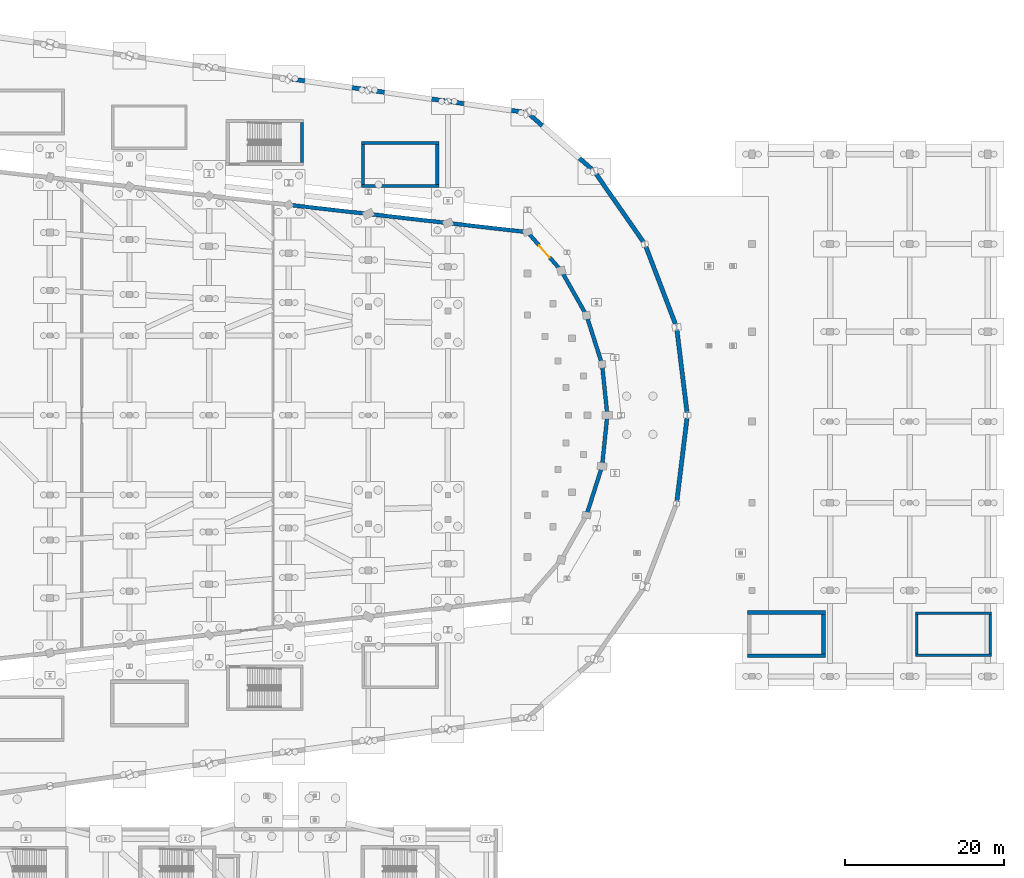
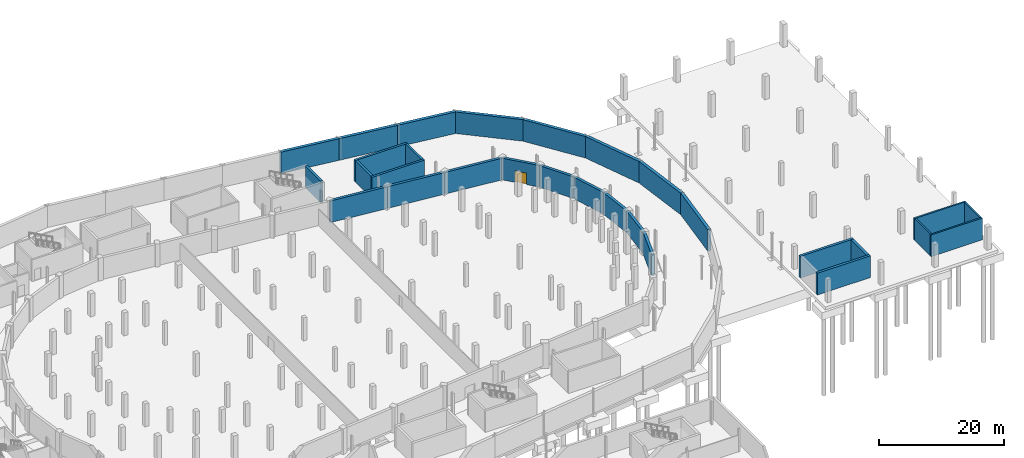
# One storey, part 50 of 55: 29 walls, 1 door, 1 opening.
"""IFC4 building model written with IfcOpenShell, lengths in metres."""

from ifc_helpers import new_model, si_unit, direction, frame, frame_2d, origin, place, context, subcontext, project, spatial, rectangle, extrude, material, layer, layer_set, type_object, element, fill, save


model = new_model("IFC4")

# Units and contexts
model_context = context("Model", 3, precision=1e-05, world=origin(), true_north=direction((0.0, 1.0)))
body_context = subcontext(model_context, "Body", "Model", "MODEL_VIEW")
ifc_project = project(units=[si_unit("LENGTHUNIT", "METRE"), si_unit("AREAUNIT", "SQUARE_METRE"), si_unit("VOLUMEUNIT", "CUBIC_METRE"), si_unit("PLANEANGLEUNIT", "RADIAN"), si_unit("MASSUNIT", "GRAM", prefix="KILO")], contexts=[model_context])

# Site, building, storey
site_placement = place(None, origin())
site = spatial("IfcSite", under=ifc_project, at=site_placement, CompositionType="ELEMENT")
building_placement = place(site_placement, origin())
building = spatial("IfcBuilding", under=site, at=building_placement, Name="Sohan Crest Arena", CompositionType="ELEMENT")
storey_placement = place(building_placement, frame((0.0, 0.0, -4.5)))
storey = spatial("IfcBuildingStorey", under=building, at=storey_placement, Name="B1", CompositionType="ELEMENT", Elevation=-4.5)

# Walls
ifc_material_1 = material(Name="Concrete C40/50", Category="concrete")
ifc_layer_1 = layer(ifc_material_1, 0.47998046875, Name="Concrete C40/50")
ifc_layer_set_1 = layer_set([ifc_layer_1], Name="Concrete C40/50")
wall_type_1 = type_object("IfcWallType", Name="WAL-RW02", PredefinedType="USERDEFINED", material=ifc_layer_set_1)
wall_1_placement = place(storey_placement, frame((175.408935546875, 65.455078125, 0.0), z_axis=(0.0, 0.0, 1.0), x_axis=(0.303361657972, 0.952875492639, 0.0)))
element("IfcWall", 1, at=wall_1_placement, inside=storey, type_object=wall_type_1, Name="External wall RW-022", ObjectType="RETAINING WALL", PredefinedType="USERDEFINED", context=body_context, shape_type="SweptSolid", body=[
    extrude(rectangle(XDim=6.44140625, YDim=0.47998046875, at=frame_2d((3.220703125, 0.0))), origin(), (0.0, 0.0, 1.0), 4.25),
])
for number, where, z_axis, x_axis, name in (
    (2, (177.363037109375, 71.593017578125, 0.0), (0.0, 0.0, 1.0), (0.102456857996, 0.994737448903, 0.0), "External wall RW-023"),
    (3, (178.02294921875, 78.0, 0.0), (0.0, 0.0, 1.0), (-0.102456857996, 0.994737448903, 0.0), "External wall RW-024"),
):
    element("IfcWall", number, at=place(storey_placement, frame(where, z_axis=z_axis, x_axis=x_axis)), inside=storey, type_object=wall_type_1, Name=name, ObjectType="RETAINING WALL", PredefinedType="USERDEFINED", context=body_context, shape_type="SweptSolid", body=[
        extrude(rectangle(XDim=6.44091796875, YDim=0.47998046875, at=frame_2d((3.220458984375, 0.0))), origin(), (0.0, 0.0, 1.0), 4.25),
    ])
wall_2_placement = place(storey_placement, frame((177.363037109375, 84.406982421875, 0.0), z_axis=(0.0, 0.0, 1.0), x_axis=(-0.303361657972, 0.952875492639, 0.0)))
element("IfcWall", 4, at=wall_2_placement, inside=storey, type_object=wall_type_1, Name="External wall RW-025", ObjectType="RETAINING WALL", PredefinedType="USERDEFINED", context=body_context, shape_type="SweptSolid", body=[
    extrude(rectangle(XDim=6.44140625, YDim=0.47998046875, at=frame_2d((3.220703125, 0.0))), origin(), (0.0, 0.0, 1.0), 4.25),
])
wall_3_placement = place(storey_placement, frame((175.408935546875, 90.544921875, 0.0), z_axis=(0.0, 0.0, 1.0), x_axis=(-0.491543833039, 0.870852834985, 0.0)))
element("IfcWall", 5, at=wall_3_placement, inside=storey, type_object=wall_type_1, Name="External wall RW-026", ObjectType="RETAINING WALL", PredefinedType="USERDEFINED", context=body_context, shape_type="SweptSolid", body=[
    extrude(rectangle(XDim=6.44091796875, YDim=0.47998046875, at=frame_2d((3.220458984375, 0.0))), origin(), (0.0, 0.0, 1.0), 4.25),
])

# Wall, opening, door
wall_4_placement = place(storey_placement, frame((172.242919921875, 96.154052734375, 0.0), z_axis=(0.0, 0.0, 1.0), x_axis=(-0.658743407002, 0.752367678553, 0.0)))
wall_4 = element("IfcWall", 6, at=wall_4_placement, inside=storey, type_object=wall_type_1, Name="External wall RW-027", ObjectType="RETAINING WALL", PredefinedType="USERDEFINED", context=body_context, shape_type="SweptSolid", body=[
    extrude(rectangle(XDim=6.44091796875, YDim=0.47998046875, at=frame_2d((3.220458984375, 0.0))), origin(), (0.0, 0.0, 1.0), 4.25),
])
opening_placement = place(wall_4_placement, frame((2.220947265625, 0.0, 0.0)))
opening = element("IfcOpeningElement", 7, at=opening_placement, cuts=wall_4, Name="Opening B1V-26", PredefinedType="OPENING", context=body_context, shape_type="SweptSolid", body=[
    extrude(rectangle(XDim=2.0, YDim=2.25, at=frame_2d((1.0, 1.125))), frame((0.0, 0.25, 0.0), z_axis=(0.0, -1.0, 0.0), x_axis=(1.0, 0.0, 0.0)), (0.0, 0.0, 1.0), 0.5),
])
ifc_material_2 = material(Name="Fire-rated steel concourse compartment door", Category="steel")
door_type = type_object("IfcDoorType", Name="DR-FD02", OperationType="DOUBLE_DOOR_SINGLE_SWING", PredefinedType="DOOR", material=ifc_material_2)
door_placement = place(opening_placement, origin())
door = element("IfcDoor", 8, at=door_placement, inside=storey, type_object=door_type, Name="Basement bowl egress door B1V-26", OperationType="DOUBLE_DOOR_SINGLE_SWING", OverallHeight=2.25, OverallWidth=2.0, PredefinedType="DOOR", context=body_context, shape_type="SweptSolid", body=[
    extrude(rectangle(XDim=2.0, YDim=2.25, at=frame_2d((1.0, 1.125))), frame((0.0, 0.02490234375, 0.0), z_axis=(0.0, -1.0, 0.0), x_axis=(1.0, 0.0, 0.0)), (0.0, 0.0, 1.0), 0.050048828125),
])
fill(opening, door)

# Walls
for number, where, z_axis, x_axis, name in (
    (9, (168.0, 101.0, 0.0), (0.0, 0.0, 1.0), (-0.99353032697, 0.113567114035, 0.0), "External wall RW-028"),
    (10, (158.0, 102.14306640625, 0.0), (0.0, 0.0, 1.0), (-0.993533063564, 0.113543170668, 0.0), "External wall RW-029"),
    (11, (148.0, 103.285888671875, 0.0), (0.0, 0.0, 1.0), (-0.99353032697, 0.113567114035, 0.0), "External wall RW-030"),
):
    element("IfcWall", number, at=place(storey_placement, frame(where, z_axis=z_axis, x_axis=x_axis)), inside=storey, type_object=wall_type_1, Name=name, ObjectType="RETAINING WALL", PredefinedType="USERDEFINED", context=body_context, shape_type="SweptSolid", body=[
        extrude(rectangle(XDim=10.065185546875, YDim=0.47998046875, at=frame_2d((5.03271484375, 0.0))), origin(), (0.0, 0.0, 1.0), 4.25),
    ])
ifc_layer_2 = layer(ifc_material_1, 0.5400390625, Name="Concrete C40/50")
ifc_layer_set_2 = layer_set([ifc_layer_2], Name="Concrete C40/50")
wall_type_2 = type_object("IfcWallType", Name="WAL-RW03", PredefinedType="USERDEFINED", material=ifc_layer_set_2)
for number, where, z_axis, x_axis, name in (
    (12, (186.72509765625, 66.929931640625, 0.0), (0.0, 0.0, 1.0), (0.121213260401, 0.992626488415, 0.0), "External wall RW-061"),
    (13, (188.076904296875, 78.0, 0.0), (0.0, 0.0, 1.0), (-0.121213260401, 0.992626488415, 0.0), "External wall RW-062"),
):
    element("IfcWall", number, at=place(storey_placement, frame(where, z_axis=z_axis, x_axis=x_axis)), inside=storey, type_object=wall_type_2, Name=name, ObjectType="RETAINING WALL", PredefinedType="USERDEFINED", context=body_context, shape_type="SweptSolid", body=[
        extrude(rectangle(XDim=11.15234375, YDim=0.5400390625, at=frame_2d((5.576171875, 0.0))), origin(), (0.0, 0.0, 1.0), 4.22509765625),
    ])
wall_5_placement = place(storey_placement, frame((186.72509765625, 89.070068359375, 0.0), z_axis=(0.0, 0.0, 1.0), x_axis=(-0.356539672716, 0.934280183767, 0.0)))
element("IfcWall", 14, at=wall_5_placement, inside=storey, type_object=wall_type_2, Name="External wall RW-063", ObjectType="RETAINING WALL", PredefinedType="USERDEFINED", context=body_context, shape_type="SweptSolid", body=[
    extrude(rectangle(XDim=11.15185546875, YDim=0.5400390625, at=frame_2d((5.575927734375, 0.0))), origin(), (0.0, 0.0, 1.0), 4.22509765625),
])
wall_6_placement = place(storey_placement, frame((182.7490234375, 99.489013671875, 0.0), z_axis=(0.0, 0.0, 1.0), x_axis=(-0.570857282329, 0.8210493062, 0.0)))
element("IfcWall", 15, at=wall_6_placement, inside=storey, type_object=wall_type_2, Name="External wall RW-064", ObjectType="RETAINING WALL", PredefinedType="USERDEFINED", context=body_context, shape_type="SweptSolid", body=[
    extrude(rectangle(XDim=11.151611328125, YDim=0.5400390625, at=frame_2d((5.57568359375, 0.0))), origin(), (0.0, 0.0, 1.0), 4.22509765625),
])
wall_7_placement = place(storey_placement, frame((176.383056640625, 108.64501953125, 0.0), z_axis=(0.0, 0.0, 1.0), x_axis=(-0.751695897988, 0.659509876308, 0.0)))
element("IfcWall", 16, at=wall_7_placement, inside=storey, type_object=wall_type_2, Name="External wall RW-065", ObjectType="RETAINING WALL", PredefinedType="USERDEFINED", context=body_context, shape_type="SweptSolid", body=[
    extrude(rectangle(XDim=11.152099609375, YDim=0.5400390625, at=frame_2d((5.576171875, 0.0))), origin(), (0.0, 0.0, 1.0), 4.22509765625),
])
for number, where, z_axis, x_axis, name in (
    (17, (168.0, 116.0, 0.0), (0.0, 0.0, 1.0), (-0.989944175879, 0.141458575718, 0.0), "External wall RW-066"),
    (18, (158.0, 117.428955078125, 0.0), (0.0, 0.0, 1.0), (-0.989957709412, 0.141363834042, 0.0), "External wall RW-067"),
    (19, (148.0, 118.85693359375, 0.0), (0.0, 0.0, 1.0), (-0.989944175879, 0.141458575718, 0.0), "External wall RW-068"),
):
    element("IfcWall", number, at=place(storey_placement, frame(where, z_axis=z_axis, x_axis=x_axis)), inside=storey, type_object=wall_type_2, Name=name, ObjectType="RETAINING WALL", PredefinedType="USERDEFINED", context=body_context, shape_type="SweptSolid", body=[
        extrude(rectangle(XDim=10.1015625, YDim=0.5400390625, at=frame_2d((5.05078125, 0.0))), origin(), (0.0, 0.0, 1.0), 4.22509765625),
    ])
ifc_layer_3 = layer(ifc_material_1, 0.300048828125, Name="Concrete C40/50")
ifc_layer_set_3 = layer_set([ifc_layer_3], Name="Concrete C40/50")
wall_type_3 = type_object("IfcWallType", Name="WAL-SW01", PredefinedType="SHEAR", material=ifc_layer_set_3)
for number, where, z_axis, x_axis, name in (
    (20, (216.75, 47.85009765625, 0.0), (0.0, 0.0, 1.0), (1.0, 0.0, 0.0), "Core shear wall SW-0617"),
    (21, (216.75, 53.14990234375, 0.0), (0.0, 0.0, 1.0), (1.0, 0.0, 0.0), "Core shear wall SW-0618"),
):
    element("IfcWall", number, at=place(storey_placement, frame(where, z_axis=z_axis, x_axis=x_axis)), inside=storey, type_object=wall_type_3, Name=name, PredefinedType="SHEAR", context=body_context, shape_type="SweptSolid", body=[
        extrude(rectangle(XDim=9.5, YDim=0.300048828125, at=frame_2d((4.75, 0.0))), origin(), (0.0, 0.0, 1.0), 4.27001953125),
    ])
for number, where, z_axis, x_axis, name in (
    (22, (216.89990234375, 48.0, 0.0), (0.0, 0.0, 1.0), (0.0, 1.0, 0.0), "Core shear wall SW-0619"),
    (23, (226.10009765625, 48.0, 0.0), (0.0, 0.0, 1.0), (0.0, 1.0, 0.0), "Core shear wall SW-0620"),
):
    element("IfcWall", number, at=place(storey_placement, frame(where, z_axis=z_axis, x_axis=x_axis)), inside=storey, type_object=wall_type_3, Name=name, PredefinedType="SHEAR", context=body_context, shape_type="SweptSolid", body=[
        extrude(rectangle(XDim=5.0, YDim=0.300048828125, at=frame_2d((2.5, 0.0))), origin(), (0.0, 0.0, 1.0), 4.27001953125),
    ])
ifc_layer_4 = layer(ifc_material_1, 0.39990234375, Name="Concrete C40/50")
ifc_layer_set_4 = layer_set([ifc_layer_4], Name="Concrete C40/50")
wall_type_4 = type_object("IfcWallType", Name="WAL-SW03", PredefinedType="SHEAR", material=ifc_layer_set_4)
for number, where, z_axis, x_axis, name in (
    (24, (147.14990234375, 106.800048828125, 0.0), (0.0, 0.0, 1.0), (1.0, 0.0, 0.0), "Core shear wall SW-0448"),
    (25, (147.14990234375, 112.199951171875, 0.0), (0.0, 0.0, 1.0), (1.0, 0.0, 0.0), "Core shear wall SW-0449"),
):
    element("IfcWall", number, at=place(storey_placement, frame(where, z_axis=z_axis, x_axis=x_axis)), inside=storey, type_object=wall_type_4, Name=name, PredefinedType="SHEAR", context=body_context, shape_type="SweptSolid", body=[
        extrude(rectangle(XDim=9.7001953125, YDim=0.39990234375, at=frame_2d((4.85009765625, 0.0))), origin(), (0.0, 0.0, 1.0), 4.22509765625),
    ])
for number, where, z_axis, x_axis, name in (
    (26, (147.35009765625, 107.0, 0.0), (0.0, 0.0, 1.0), (0.0, 1.0, 0.0), "Core shear wall SW-0450"),
    (27, (156.64990234375, 107.0, 0.0), (0.0, 0.0, 1.0), (0.0, 1.0, 0.0), "Core shear wall SW-0451"),
    (28, (139.64990234375, 109.75, 0.0), (0.0, 0.0, 1.0), (0.0, 1.0, 0.0), "Core shear wall SW-0806"),
):
    element("IfcWall", number, at=place(storey_placement, frame(where, z_axis=z_axis, x_axis=x_axis)), inside=storey, type_object=wall_type_4, Name=name, PredefinedType="SHEAR", context=body_context, shape_type="SweptSolid", body=[
        extrude(rectangle(XDim=5.0, YDim=0.39990234375, at=frame_2d((2.5, 0.0))), origin(), (0.0, 0.0, 1.0), 4.22509765625),
    ])
ifc_layer_5 = layer(ifc_material_1, 0.449951171875, Name="Concrete C40/50")
ifc_layer_set_5 = layer_set([ifc_layer_5], Name="Concrete C40/50")
wall_type_5 = type_object("IfcWallType", Name="WAL-SW04", PredefinedType="SHEAR", material=ifc_layer_set_5)
for number, where, z_axis, x_axis, name in (
    (29, (195.60009765625, 47.77490234375, 0.0), (0.0, 0.0, 1.0), (1.0, 0.0, 0.0), "Core shear wall SW-0585"),
    (30, (195.60009765625, 53.22509765625, 0.0), (0.0, 0.0, 1.0), (1.0, 0.0, 0.0), "Core shear wall SW-0586"),
):
    element("IfcWall", number, at=place(storey_placement, frame(where, z_axis=z_axis, x_axis=x_axis)), inside=storey, type_object=wall_type_5, Name=name, PredefinedType="SHEAR", context=body_context, shape_type="SweptSolid", body=[
        extrude(rectangle(XDim=9.7998046875, YDim=0.449951171875, at=frame_2d((4.89990234375, 0.0))), origin(), (0.0, 0.0, 1.0), 4.27001953125),
    ])
wall_8_placement = place(storey_placement, frame((205.175048828125, 48.0, 0.0), z_axis=(0.0, 0.0, 1.0), x_axis=(0.0, 1.0, 0.0)))
element("IfcWall", 31, at=wall_8_placement, inside=storey, type_object=wall_type_5, Name="Core shear wall SW-0588", PredefinedType="SHEAR", context=body_context, shape_type="SweptSolid", body=[
    extrude(rectangle(XDim=5.0, YDim=0.449951171875, at=frame_2d((2.5, 0.0))), origin(), (0.0, 0.0, 1.0), 4.27001953125),
])

save(model, "model.ifc")
